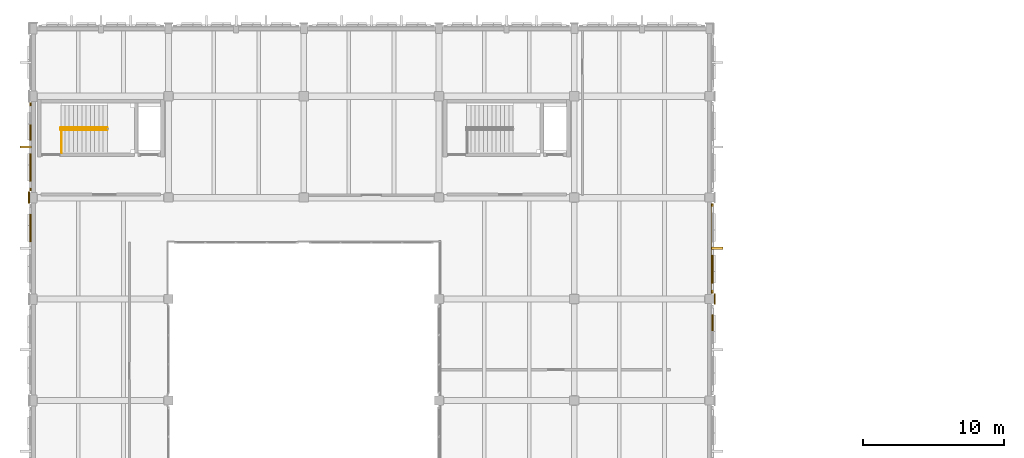
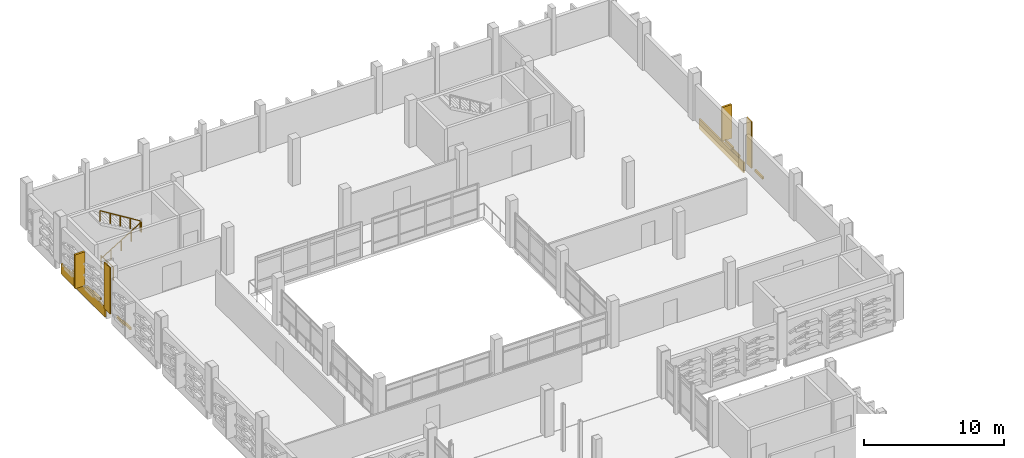
# One storey, part 65 of 72: 14 coverings, 3 railings.
"""IFC4 building model written with IfcOpenShell, lengths in metres."""

from ifc_helpers import new_model, si_unit, direction, frame, origin, origin_2d, place, context, subcontext, project, spatial, rectangle, circle, extrude, material, layer, layer_set, type_object, element, save


model = new_model("IFC4")

# Units and contexts
model_context = context("Model", 3, precision=1e-05, world=origin(), true_north=direction((0.0, 1.0)))
body_context = subcontext(model_context, "Body", "Model", "MODEL_VIEW")
ifc_project = project(units=[si_unit("LENGTHUNIT", "METRE"), si_unit("AREAUNIT", "SQUARE_METRE"), si_unit("VOLUMEUNIT", "CUBIC_METRE"), si_unit("PLANEANGLEUNIT", "RADIAN"), si_unit("MASSUNIT", "GRAM", prefix="KILO")], contexts=[model_context])

# Site, building, storey
site_placement = place(None, origin())
site = spatial("IfcSite", under=ifc_project, at=site_placement, CompositionType="ELEMENT")
building_placement = place(site_placement, origin())
building = spatial("IfcBuilding", under=site, at=building_placement, Name="Asteropetra Specialist Clinic", CompositionType="ELEMENT")
storey_placement = place(building_placement, frame((0.0, 0.0, 12.580078125)))
storey = spatial("IfcBuildingStorey", under=building, at=storey_placement, Name="L03", CompositionType="ELEMENT", Elevation=12.580078125)

# Coverings
ifc_material_1 = material(Name="Chevron terracotta pale", Category="masonry")
ifc_layer_1 = layer(ifc_material_1, 0.1201171875)
ifc_layer_set_1 = layer_set([ifc_layer_1], Name="Chevron terracotta pale")
covering_type_1 = type_object("IfcCoveringType", Name="CLD-TER-PALE", PredefinedType="CLADDING", material=ifc_layer_set_1)
covering_1_placement = place(storey_placement, frame((48.205078125, 89.514892578125, 0.259765625), z_axis=(0.0, 0.0, 1.0), x_axis=(1.0, 0.0, 0.0)))
element("IfcCovering", 1, at=covering_1_placement, inside=storey, type_object=covering_type_1, Name="Chevron Ceramic Band CV-1539", PredefinedType="CLADDING", context=body_context, shape_type="SweptSolid", body=[
    extrude(rectangle(XDim=0.1201171875, YDim=1.123046875, at=origin_2d()), origin(), (0.0, 0.0, 1.0), 0.199951171875),
])
for number, where, z_axis, x_axis, name in (
    (2, (-0.205078125, 96.682373046875, 0.1201171875), (0.0, 0.0, 1.0), (1.0, 0.0, 0.0), "Chevron Ceramic Band CV-1541"),
    (3, (-0.205078125, 95.82275390625, 0.259765625), (0.0, 0.0, 1.0), (1.0, 0.0, 0.0), "Chevron Ceramic Band CV-1542"),
):
    element("IfcCovering", number, at=place(storey_placement, frame(where, z_axis=z_axis, x_axis=x_axis)), inside=storey, type_object=covering_type_1, Name=name, PredefinedType="CLADDING", context=body_context, shape_type="SweptSolid", body=[
        extrude(rectangle(XDim=0.1201171875, YDim=1.10400390625, at=origin_2d()), origin(), (0.0, 0.0, 1.0), 0.199951171875),
    ])
covering_2_placement = place(storey_placement, frame((48.18994140625, 94.800048828125, -0.800048828125), z_axis=(0.0, 0.0, 1.0), x_axis=(1.0, 0.0, 0.0)))
element("IfcCovering", 4, at=covering_2_placement, inside=storey, type_object=covering_type_1, Name="Chevron Spandrel Band CV-1545", PredefinedType="CLADDING", context=body_context, shape_type="SweptSolid", body=[
    extrude(rectangle(XDim=0.1201171875, YDim=6.35009765625, at=origin_2d()), origin(), (0.0, 0.0, 1.0), 0.8798828125),
])
for number, where, z_axis, x_axis, name in (
    (5, (48.205078125, 92.88525390625, 0.1201171875), (0.0, 0.0, 1.0), (1.0, 0.0, 0.0), "Chevron Ceramic Band CV-1546"),
    (6, (48.205078125, 93.759765625, 0.259765625), (0.0, 0.0, 1.0), (1.0, 0.0, 0.0), "Chevron Ceramic Band CV-1547"),
):
    element("IfcCovering", number, at=place(storey_placement, frame(where, z_axis=z_axis, x_axis=x_axis)), inside=storey, type_object=covering_type_1, Name=name, PredefinedType="CLADDING", context=body_context, shape_type="SweptSolid", body=[
        extrude(rectangle(XDim=0.1201171875, YDim=1.123046875, at=origin_2d()), origin(), (0.0, 0.0, 1.0), 0.199951171875),
    ])
covering_3_placement = place(storey_placement, frame((-0.18994140625, 102.0, -0.800048828125), z_axis=(0.0, 0.0, 1.0), x_axis=(1.0, 0.0, 0.0)))
element("IfcCovering", 7, at=covering_3_placement, inside=storey, type_object=covering_type_1, Name="Chevron Spandrel Band CV-1550", PredefinedType="CLADDING", context=body_context, shape_type="SweptSolid", body=[
    extrude(rectangle(XDim=0.1201171875, YDim=6.25, at=origin_2d()), origin(), (0.0, 0.0, 1.0), 0.8798828125),
])
for number, where, z_axis, x_axis, name in (
    (8, (-0.205078125, 103.022705078125, 0.259765625), (0.0, 0.0, 1.0), (1.0, 0.0, 0.0), "Chevron Ceramic Band CV-1552"),
    (9, (-0.205078125, 100.977294921875, 0.1201171875), (0.0, 0.0, 1.0), (1.0, 0.0, 0.0), "Chevron Ceramic Band CV-1553"),
    (10, (-0.205078125, 100.117919921875, 0.259765625), (0.0, 0.0, 1.0), (1.0, 0.0, 0.0), "Chevron Ceramic Band CV-1554"),
):
    element("IfcCovering", number, at=place(storey_placement, frame(where, z_axis=z_axis, x_axis=x_axis)), inside=storey, type_object=covering_type_1, Name=name, PredefinedType="CLADDING", context=body_context, shape_type="SweptSolid", body=[
        extrude(rectangle(XDim=0.1201171875, YDim=1.10400390625, at=origin_2d()), origin(), (0.0, 0.0, 1.0), 0.199951171875),
    ])
ifc_material_2 = material(Name="Pentelic marble ashlar", Category="masonry")
ifc_layer_2 = layer(ifc_material_2, 0.159912109375)
ifc_layer_set_2 = layer_set([ifc_layer_2], Name="Pentelic marble ashlar")
covering_type_2 = type_object("IfcCoveringType", Name="CRN-ENTAB-600", PredefinedType="MOLDING", material=ifc_layer_set_2)
covering_4_placement = place(storey_placement, frame((-0.306884765625, 98.39990234375, 0.02001953125), z_axis=(0.0, 0.0, 1.0), x_axis=(1.0, 0.0, 0.0)))
element("IfcCovering", 11, at=covering_4_placement, inside=storey, type_object=covering_type_2, Name="Neoclassical Pilaster Facing CM-0680", PredefinedType="MOLDING", context=body_context, shape_type="SweptSolid", body=[
    extrude(rectangle(XDim=0.080078125, YDim=0.830078125, at=origin_2d()), origin(), (0.0, 0.0, 1.0), 4.0400390625),
])
covering_5_placement = place(storey_placement, frame((48.35693359375, 91.199951171875, 0.02001953125), z_axis=(0.0, 0.0, 1.0), x_axis=(1.0, 0.0, 0.0)))
element("IfcCovering", 12, at=covering_5_placement, inside=storey, type_object=covering_type_2, Name="Neoclassical Pilaster Facing CM-0696", PredefinedType="MOLDING", context=body_context, shape_type="SweptSolid", body=[
    extrude(rectangle(XDim=0.080078125, YDim=0.72998046875, at=origin_2d()), origin(), (0.0, 0.0, 1.0), 4.0400390625),
])
ifc_material_3 = material(Name="Pentelic marble solar fin", Category="masonry")
ifc_layer_3 = layer(ifc_material_3, 0.080078125)
ifc_layer_set_3 = layer_set([ifc_layer_3], Name="Pentelic marble solar fin")
covering_type_3 = type_object("IfcCoveringType", Name="FIN-SOLAR-800", PredefinedType="MOLDING", material=ifc_layer_set_3)
for number, where, z_axis, x_axis, name in (
    (13, (48.544921875, 94.800048828125, 0.070068359375), (0.0, 0.0, 1.0), (1.0, 0.0, 0.0), "Solar Shading Fin FN-0107"),
    (14, (-0.544921875, 102.0, 0.070068359375), (0.0, 0.0, 1.0), (1.0, 0.0, 0.0), "Solar Shading Fin FN-0108"),
):
    element("IfcCovering", number, at=place(storey_placement, frame(where, z_axis=z_axis, x_axis=x_axis)), inside=storey, type_object=covering_type_3, Name=name, PredefinedType="MOLDING", context=body_context, shape_type="SweptSolid", body=[
        extrude(rectangle(XDim=0.800048828125, YDim=0.159912109375, at=origin_2d()), origin(), (0.0, 0.0, 1.0), 2.93994140625),
    ])

# Railings
ifc_material_4 = material(Name="Steel S355 and laminated glass guard", Category="steel")
railing_type_1 = type_object("IfcRailingType", Name="GRD-INT-1120", PredefinedType="GUARDRAIL", material=ifc_material_4)
railing_1_placement = place(storey_placement, frame((2.0, 101.580078125, 0.0)))
element("IfcRailing", 15, at=railing_1_placement, inside=storey, type_object=railing_type_1, Name="Stair Well Guard ST01-L02", PredefinedType="GUARDRAIL", context=body_context, shape_type="SweptSolid", body=[
    extrude(circle(Radius=0.02392578125, at=origin_2d()), frame((0.0, 0.0, 1.09619140625), z_axis=(0.0, 1.0, 0.0), x_axis=(-1.0, 0.0, 0.0)), (0.0, 0.0, 1.0), 1.72998046875),
    extrude(circle(Radius=0.02099609375, at=origin_2d()), origin(), (0.0, 0.0, 1.0), 1.072021484375),
    extrude(circle(Radius=0.02099609375, at=origin_2d()), frame((0.0, 0.864990234375, 0.0)), (0.0, 0.0, 1.0), 1.072021484375),
    extrude(circle(Radius=0.02099609375, at=origin_2d()), frame((0.0, 1.72998046875, 0.0)), (0.0, 0.0, 1.0), 1.072021484375),
])
ifc_material_5 = material(Name="Brushed stainless steel handrail", Category="steel")
railing_type_2 = type_object("IfcRailingType", Name="HRL-STAIR-920", PredefinedType="HANDRAIL", material=ifc_material_5)
railing_2_placement = place(storey_placement, frame((1.949951171875, 103.219970703125, 0.0)))
element("IfcRailing", 16, at=railing_2_placement, inside=storey, type_object=railing_type_2, Name="Stair Handrail ST01-L03 F1", PredefinedType="HANDRAIL", context=body_context, shape_type="SweptSolid", body=[
    extrude(circle(Radius=0.02392578125, at=origin_2d()), frame((0.0, 0.0, 0.89599609375), z_axis=(0.850593546085, 0.0, 0.525823753132), x_axis=(0.0, 1.0, 0.0)), (0.0, 0.0, 1.0), 3.879638671875),
    extrude(circle(Radius=0.02099609375, at=origin_2d()), origin(), (0.0, 0.0, 1.0), 0.871826171875),
    extrude(circle(Radius=0.02099609375, at=origin_2d()), frame((0.824951171875, 0.0, 0.510009765625)), (0.0, 0.0, 1.0), 0.871826171875),
    extrude(circle(Radius=0.02099609375, at=origin_2d()), frame((1.64990234375, 0.0, 1.02001953125)), (0.0, 0.0, 1.0), 0.871826171875),
    extrude(circle(Radius=0.02099609375, at=origin_2d()), frame((2.47509765625, 0.0, 1.530029296875)), (0.0, 0.0, 1.0), 0.871826171875),
    extrude(circle(Radius=0.02099609375, at=origin_2d()), frame((3.300048828125, 0.0, 2.0400390625)), (0.0, 0.0, 1.0), 0.871826171875),
])
railing_3_placement = place(storey_placement, frame((5.25, 103.360107421875, 2.0400390625)))
element("IfcRailing", 17, at=railing_3_placement, inside=storey, type_object=railing_type_2, Name="Stair Handrail ST01-L03 F2", PredefinedType="HANDRAIL", context=body_context, shape_type="SweptSolid", body=[
    extrude(circle(Radius=0.02392578125, at=origin_2d()), frame((0.0, 0.0, 0.89599609375), z_axis=(-0.850621690979, 0.0, 0.525778222101), x_axis=(0.0, -1.0, 0.0)), (0.0, 0.0, 1.0), 3.879638671875),
    extrude(circle(Radius=0.02099609375, at=origin_2d()), origin(), (0.0, 0.0, 1.0), 0.871826171875),
    extrude(circle(Radius=0.02099609375, at=origin_2d()), frame((-0.824951171875, 0.0, 0.510009765625)), (0.0, 0.0, 1.0), 0.871826171875),
    extrude(circle(Radius=0.02099609375, at=origin_2d()), frame((-1.64990234375, 0.0, 1.02001953125)), (0.0, 0.0, 1.0), 0.871826171875),
    extrude(circle(Radius=0.02099609375, at=origin_2d()), frame((-2.47509765625, 0.0, 1.52978515625)), (0.0, 0.0, 1.0), 0.871826171875),
    extrude(circle(Radius=0.02099609375, at=origin_2d()), frame((-3.300048828125, 0.0, 2.039794921875)), (0.0, 0.0, 1.0), 0.871826171875),
])

save(model, "model.ifc")
